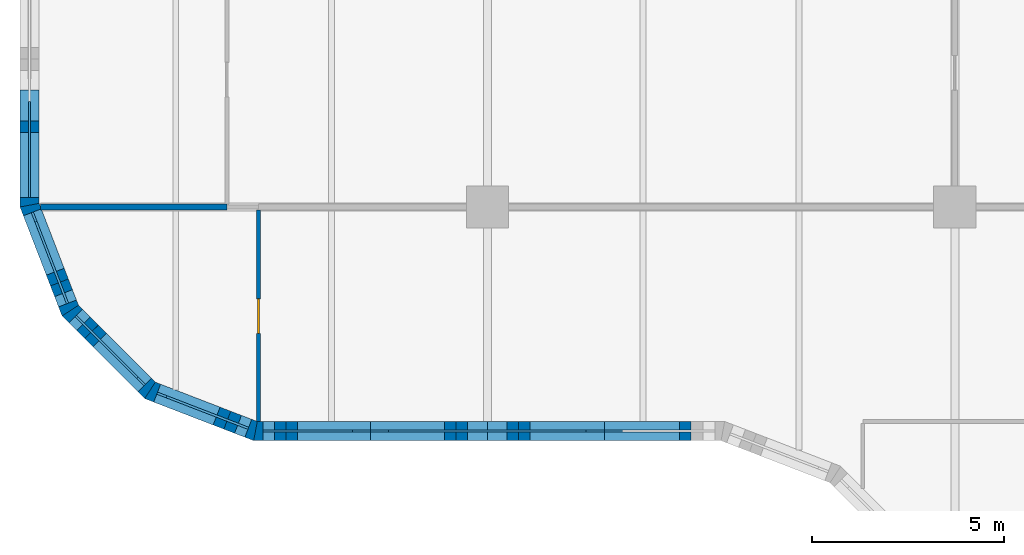
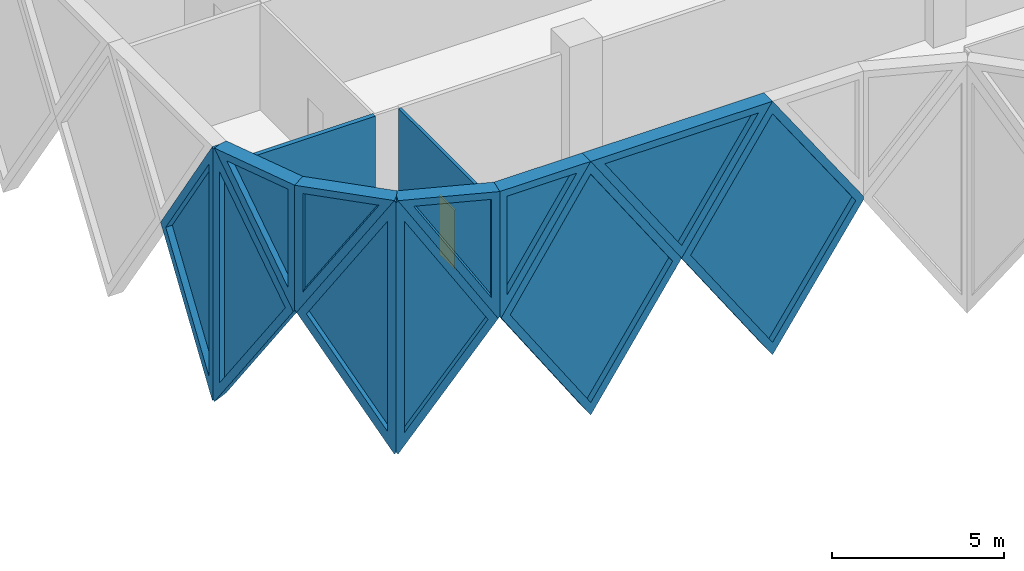
# One storey, part 10 of 30: 13 walls, 11 plates, 1 door, 12 openings.
"""IFC4 building model written with IfcOpenShell, lengths in metres."""

from ifc_helpers import new_model, si_unit, direction, frame, frame_2d, origin, place, context, subcontext, project, spatial, polyline, rectangle, outline, extrude, faceted_brep, source, transform, mapped, material, layer, layer_set, type_object, element, fill, save


model = new_model("IFC4")

# Units and contexts
model_context = context("Model", 3, precision=1e-05, world=origin(), true_north=direction((0.0, 1.0)))
body_context = subcontext(model_context, "Body", "Model", "MODEL_VIEW")
ifc_project = project(units=[si_unit("LENGTHUNIT", "METRE"), si_unit("AREAUNIT", "SQUARE_METRE"), si_unit("VOLUMEUNIT", "CUBIC_METRE"), si_unit("PLANEANGLEUNIT", "RADIAN"), si_unit("MASSUNIT", "GRAM", prefix="KILO")], contexts=[model_context])

# Site, building, storey
site_placement = place(None, origin())
site = spatial("IfcSite", under=ifc_project, at=site_placement, CompositionType="ELEMENT")
building_placement = place(site_placement, origin())
building = spatial("IfcBuilding", under=site, at=building_placement, Name="Tessera Gate Towers", CompositionType="ELEMENT")
storey_placement = place(building_placement, frame((0.0, 0.0, 21.300048828125)))
storey = spatial("IfcBuildingStorey", under=building, at=storey_placement, Name="L04", CompositionType="ELEMENT", Elevation=21.300048828125)

# Wall, opening, door
ifc_material_1 = material(Name="Glass", Category="glass")
ifc_layer_1 = layer(ifc_material_1, 0.10009765625)
ifc_layer_set_1 = layer_set([ifc_layer_1], Name="GLAZED PARTITION 100")
wall_type_1 = type_object("IfcWallType", Name="GLAZED PARTITION 100", PredefinedType="PARTITIONING", material=ifc_layer_set_1)
wall_1_placement = place(storey_placement, frame((6.22509765625, 18.800048828125, 0.0), z_axis=(0.0, 0.0, 1.0), x_axis=(0.0, 1.0, 0.0)))
wall_1 = element("IfcWall", 1, at=wall_1_placement, inside=storey, type_object=wall_type_1, Name="T1-L04-PW-016", PredefinedType="PARTITIONING", context=body_context, shape_type="SweptSolid", body=[
    extrude(rectangle(XDim=5.52392578125, YDim=0.10009765625, at=frame_2d((2.761962890625, 0.0))), origin(), (0.0, 0.0, 1.0), 3.766845703125),
])
shared_shape_1 = source(origin(), body_context, "Body", "SweptSolid", [
    extrude(rectangle(XDim=0.89990234375, YDim=2.10009765625, at=frame_2d((0.449951171875, 1.050048828125))), frame((0.0, 0.06005859375, 0.0), z_axis=(0.0, -1.0, 0.0), x_axis=(1.0, 0.0, 0.0)), (0.0, 0.0, 1.0), 0.1201171875),
])
opening_1_placement = place(wall_1_placement, frame((2.300048828125, 0.0, 0.0)))
opening_1 = element("IfcOpeningElement", 2, at=opening_1_placement, cuts=wall_1, Name="Opening D690-A01-02", PredefinedType="OPENING", context=body_context, shape_type="MappedRepresentation", body=[
    mapped(shared_shape_1, transform((0.0, 0.0, 0.0), scale=1.0)),
])
ifc_material_2 = material(Name="Glass in aluminium frame", Category="aluminium")
door_type = type_object("IfcDoorType", Name="GLAZED DOOR 900 NOT RATED", OperationType="NOTDEFINED", PredefinedType="DOOR", material=ifc_material_2)
shared_shape_2 = source(origin(), body_context, "Body", "SweptSolid", [
    extrude(rectangle(XDim=0.89990234375, YDim=2.10009765625, at=frame_2d((0.449951171875, 1.050048828125))), frame((0.0, 0.02490234375, 0.0), z_axis=(0.0, -1.0, 0.0), x_axis=(1.0, 0.0, 0.0)), (0.0, 0.0, 1.0), 0.050048828125),
])
door_placement = place(opening_1_placement, origin())
door = element("IfcDoor", 3, at=door_placement, inside=storey, type_object=door_type, Name="T1-L04-PD-008", OperationType="SINGLE_SWING_LEFT", OverallHeight=2.10009765625, OverallWidth=0.89990234375, PredefinedType="DOOR", context=body_context, shape_type="MappedRepresentation", body=[
    mapped(shared_shape_2, transform((0.0, 0.0, 0.0), scale=1.0)),
])
fill(opening_1, door)

# Wall
ifc_material_3 = material(Name="Gypsum board on steel studs, mineral wool", Category="steel")
ifc_layer_2 = layer(ifc_material_3, 0.14990234375)
ifc_layer_set_2 = layer_set([ifc_layer_2], Name="TENANCY WALL 150")
wall_type_2 = type_object("IfcWallType", Name="TENANCY WALL 150", PredefinedType="PARTITIONING", material=ifc_layer_set_2)
wall_2_placement = place(storey_placement, frame((0.535888671875, 24.39990234375, 0.0), z_axis=(0.0, 0.0, 1.0), x_axis=(1.0, 0.0, 0.0)))
element("IfcWall", 4, at=wall_2_placement, inside=storey, type_object=wall_type_2, Name="T1-L04-PW-026", PredefinedType="PARTITIONING", context=body_context, shape_type="SweptSolid", body=[
    extrude(rectangle(XDim=4.864013671875, YDim=0.14990234375, at=frame_2d((2.43212890625, 0.0))), origin(), (0.0, 0.0, 1.0), 3.766845703125),
])

# Wall, opening, plate
ifc_material_4 = material(Name="Precast concrete C60/75 white", Category="concrete")
ifc_layer_3 = layer(ifc_material_4, 0.5)
ifc_layer_set_3 = layer_set([ifc_layer_3], Name="TS1 tessera")
wall_type_3 = type_object("IfcWallType", Name="TS1 tessera", PredefinedType="SOLIDWALL", material=ifc_layer_set_3)
shared_shape_3 = source(origin(), body_context, "Body", "Brep", [
    faceted_brep([(3.00341796875, -0.25, 0.0), (6.053466796875, -0.25, 4.5), (3.00341796875, -0.25, 9.0), (0.0, -0.25, 4.5), (0.046630859375, 0.25, 4.56982421875), (3.00341796875, 0.25, 9.0), (6.053466796875, 0.25, 4.5), (3.00341796875, 0.25, 0.0), (0.046630859375, 0.25, 4.43017578125), (0.0, 0.0, 4.5)], [[[0, 1, 2, 3]], [[4, 5, 6, 7, 8]], [[7, 6, 1, 0]], [[6, 5, 2, 1]], [[5, 4, 9, 3, 2]], [[8, 7, 0, 3, 9]], [[8, 9, 4]]]),
])
wall_3_placement = place(storey_placement, frame((6.146484375, 18.550048828125, -4.5), z_axis=(0.0, 0.0, 1.0), x_axis=(1.0, 0.0, 0.0)))
wall_3 = element("IfcWall", 5, at=wall_3_placement, inside=storey, type_object=wall_type_3, Name="Precast tessera T1 TS1-0021", PredefinedType="SOLIDWALL", context=body_context, shape_type="MappedRepresentation", body=[
    mapped(shared_shape_3, transform((0.0, 0.0, 0.0), scale=1.0)),
])
shared_shape_4 = source(origin(), body_context, "Body", "SweptSolid", [
    extrude(outline(polyline([(3.005126953125, 0.447998046875), (5.75146484375, 4.5), (3.005126953125, 8.552001953125), (0.300537109375, 4.5), (3.005126953125, 0.447998046875)])), frame((0.0, 0.260009765625, 0.0), z_axis=(0.0, -1.0, 0.0), x_axis=(1.0, 0.0, 0.0)), (0.0, 0.0, 1.0), 0.52001953125),
])
opening_2_placement = place(wall_3_placement, origin())
opening_2 = element("IfcOpeningElement", 6, at=opening_2_placement, cuts=wall_3, Name="Opening T1-PL2-0037", PredefinedType="OPENING", context=body_context, shape_type="MappedRepresentation", body=[
    mapped(shared_shape_4, transform((0.0, 0.0, 0.0), scale=1.0)),
])
ifc_material_5 = material(Name="Low-e laminated glass", Category="glass")
ifc_layer_4 = layer(ifc_material_5, 0.06005859375)
ifc_layer_set_4 = layer_set([ifc_layer_4], Name="PL2 rhombic pane")
plate_type_1 = type_object("IfcPlateType", Name="PL2 rhombic pane", PredefinedType="SHEET", material=ifc_layer_set_4)
shared_shape_5 = source(origin(), body_context, "Body", "SweptSolid", [
    extrude(outline(polyline([(3.005126953125, 0.447998046875), (5.75146484375, 4.5), (3.005126953125, 8.552001953125), (0.300537109375, 4.5), (3.005126953125, 0.447998046875)])), frame((0.0, 0.030029296875, 0.0), z_axis=(0.0, -1.0, 0.0), x_axis=(1.0, 0.0, 0.0)), (0.0, 0.0, 1.0), 0.06005859375),
])
plate_1_placement = place(opening_2_placement, origin())
plate_1 = element("IfcPlate", 7, at=plate_1_placement, inside=storey, type_object=plate_type_1, Name="Glass pane T1 PL2-0037", PredefinedType="SHEET", context=body_context, shape_type="MappedRepresentation", body=[
    mapped(shared_shape_5, transform((0.0, 0.0, 0.0), scale=1.0)),
])
fill(opening_2, plate_1)

ifc_material_6 = material(Name="Precast concrete C60/75 white", Category="concrete")
ifc_layer_5 = layer(ifc_material_6, 0.5)
ifc_layer_set_5 = layer_set([ifc_layer_5], Name="TS3 corner tessera")
wall_type_4 = type_object("IfcWallType", Name="TS3 corner tessera", PredefinedType="SOLIDWALL", material=ifc_layer_set_5)
shared_shape_6 = source(origin(), body_context, "Body", "Brep", [
    faceted_brep([(0.052978515625, -0.25, 0.0), (3.00341796875, -0.25, 4.5), (0.052978515625, -0.25, 9.0), (0.0, -0.25, 8.919189453125), (0.0, -0.25, 0.080810546875), (0.10595703125, 0.25, 8.919189453125), (2.95703125, 0.25, 4.57080078125), (2.95703125, 0.25, 4.42919921875), (0.10595703125, 0.25, 0.080810546875), (3.00341796875, 0.00048828125, 4.5), (0.052978515625, 0.0, 0.0), (0.052978515625, 0.0, 9.0)], [[[0, 1, 2, 3, 4]], [[5, 6, 7, 8]], [[8, 7, 9, 1, 0, 10]], [[6, 5, 11, 2, 1, 9]], [[3, 2, 11]], [[10, 0, 4]], [[8, 10, 4, 3, 11, 5]], [[9, 7, 6]]]),
])
wall_4_placement = place(storey_placement, frame((3.34423828125, 19.630859375, -4.5), z_axis=(0.0, 0.0, 1.0), x_axis=(0.933007896601, -0.359855894603, 0.0)))
wall_4 = element("IfcWall", 8, at=wall_4_placement, inside=storey, type_object=wall_type_4, Name="Precast corner tessera T1 TS3-0040", PredefinedType="SOLIDWALL", context=body_context, shape_type="MappedRepresentation", body=[
    mapped(shared_shape_6, transform((0.0, 0.0, 0.0), scale=1.0)),
])
shared_shape_7 = source(origin(), body_context, "Body", "SweptSolid", [
    extrude(outline(polyline([(0.2529296875, 0.760986328125), (2.70458984375, 4.5), (0.2529296875, 8.239013671875), (0.2529296875, 0.760986328125)])), frame((0.0, 0.260009765625, 0.0), z_axis=(0.0, -1.0, 0.0), x_axis=(1.0, 0.0, 0.0)), (0.0, 0.0, 1.0), 0.52001953125),
])
opening_3_placement = place(wall_4_placement, origin())
opening_3 = element("IfcOpeningElement", 9, at=opening_3_placement, cuts=wall_4, Name="Opening T1-PL2-0036", PredefinedType="OPENING", context=body_context, shape_type="MappedRepresentation", body=[
    mapped(shared_shape_7, transform((0.0, 0.0, 0.0), scale=1.0)),
])
shared_shape_8 = source(origin(), body_context, "Body", "SweptSolid", [
    extrude(outline(polyline([(0.2529296875, 0.760986328125), (2.70458984375, 4.5), (0.2529296875, 8.239013671875), (0.2529296875, 0.760986328125)])), frame((0.0, 0.030029296875, 0.0), z_axis=(0.0, -1.0, 0.0), x_axis=(1.0, 0.0, 0.0)), (0.0, 0.0, 1.0), 0.06005859375),
])
plate_2_placement = place(opening_3_placement, origin())
plate_2 = element("IfcPlate", 10, at=plate_2_placement, inside=storey, type_object=plate_type_1, Name="Glass pane T1 PL2-0036", PredefinedType="SHEET", context=body_context, shape_type="MappedRepresentation", body=[
    mapped(shared_shape_8, transform((0.0, 0.0, 0.0), scale=1.0)),
])
fill(opening_3, plate_2)

shared_shape_9 = source(origin(), body_context, "Body", "Brep", [
    faceted_brep([(3.00341796875, -0.25, 0.0), (3.050048828125, -0.25, 0.071044921875), (3.050048828125, -0.25, 8.928955078125), (3.00341796875, -0.25, 9.0), (0.0, -0.25, 4.5), (0.0, 0.25, 4.5), (2.956787109375, 0.25, 8.930419921875), (2.956787109375, 0.25, 0.069580078125), (3.00341796875, 0.000244140625, 0.0), (3.00341796875, 0.000244140625, 9.0)], [[[0, 1, 2, 3, 4]], [[5, 6, 7]], [[1, 0, 8]], [[9, 3, 2]], [[6, 5, 4, 3, 9]], [[5, 7, 8, 0, 4]], [[1, 8, 7, 6, 9, 2]]]),
])
wall_5_placement = place(storey_placement, frame((0.25, 27.449951171875, -4.5), z_axis=(0.0, 0.0, 1.0), x_axis=(0.0, -1.0, 0.0)))
wall_5 = element("IfcWall", 11, at=wall_5_placement, inside=storey, type_object=wall_type_4, Name="Precast corner tessera T1 TS3-0037", PredefinedType="SOLIDWALL", context=body_context, shape_type="MappedRepresentation", body=[
    mapped(shared_shape_9, transform((0.0, 0.0, 0.0), scale=1.0)),
])
shared_shape_10 = source(origin(), body_context, "Body", "SweptSolid", [
    extrude(outline(polyline([(2.803466796875, 8.25), (0.300537109375, 4.5), (2.803466796875, 0.75), (2.803466796875, 8.25)])), frame((0.0, 0.260009765625, 0.0), z_axis=(0.0, -1.0, 0.0), x_axis=(1.0, 0.0, 0.0)), (0.0, 0.0, 1.0), 0.52001953125),
])
opening_4_placement = place(wall_5_placement, origin())
opening_4 = element("IfcOpeningElement", 12, at=opening_4_placement, cuts=wall_5, Name="Opening T1-PL2-0033", PredefinedType="OPENING", context=body_context, shape_type="MappedRepresentation", body=[
    mapped(shared_shape_10, transform((0.0, 0.0, 0.0), scale=1.0)),
])
shared_shape_11 = source(origin(), body_context, "Body", "SweptSolid", [
    extrude(outline(polyline([(2.803466796875, 8.25), (0.300537109375, 4.5), (2.803466796875, 0.75), (2.803466796875, 8.25)])), frame((0.0, 0.030029296875, 0.0), z_axis=(0.0, -1.0, 0.0), x_axis=(1.0, 0.0, 0.0)), (0.0, 0.0, 1.0), 0.06005859375),
])
plate_3_placement = place(opening_4_placement, origin())
plate_3 = element("IfcPlate", 13, at=plate_3_placement, inside=storey, type_object=plate_type_1, Name="Glass pane T1 PL2-0033", PredefinedType="SHEET", context=body_context, shape_type="MappedRepresentation", body=[
    mapped(shared_shape_11, transform((0.0, 0.0, 0.0), scale=1.0)),
])
fill(opening_4, plate_3)

shared_shape_12 = source(origin(), body_context, "Body", "Brep", [
    faceted_brep([(0.046630859375, -0.25, 0.0), (2.9970703125, -0.25, 4.5), (0.046630859375, -0.25, 9.0), (0.0, -0.25, 8.93017578125), (0.0, -0.25, 0.06982421875), (0.09326171875, 0.25, 8.928955078125), (2.9443359375, 0.25, 4.58056640625), (2.9443359375, 0.25, 4.41943359375), (0.09326171875, 0.25, 0.071044921875), (2.9970703125, 0.00048828125, 4.5), (0.046630859375, 0.0, 0.0), (0.046630859375, 0.0, 9.0)], [[[0, 1, 2, 3, 4]], [[5, 6, 7, 8]], [[8, 7, 9, 1, 0, 10]], [[6, 5, 11, 2, 1, 9]], [[3, 2, 11]], [[10, 0, 4]], [[8, 10, 4, 3, 11, 5]], [[9, 7, 6]]]),
])
wall_6_placement = place(storey_placement, frame((0.233154296875, 24.489990234375, -4.5), z_axis=(0.0, 0.0, 1.0), x_axis=(0.359901446078, -0.932990326376, 0.0)))
wall_6 = element("IfcWall", 14, at=wall_6_placement, inside=storey, type_object=wall_type_4, Name="Precast corner tessera T1 TS3-0038", PredefinedType="SOLIDWALL", context=body_context, shape_type="MappedRepresentation", body=[
    mapped(shared_shape_12, transform((0.0, 0.0, 0.0), scale=1.0)),
])
shared_shape_13 = source(origin(), body_context, "Body", "SweptSolid", [
    extrude(outline(polyline([(0.24658203125, 0.760986328125), (2.6982421875, 4.5), (0.24658203125, 8.239013671875), (0.24658203125, 0.760986328125)])), frame((0.0, 0.260009765625, 0.0), z_axis=(0.0, -1.0, 0.0), x_axis=(1.0, 0.0, 0.0)), (0.0, 0.0, 1.0), 0.52001953125),
])
opening_5_placement = place(wall_6_placement, origin())
opening_5 = element("IfcOpeningElement", 15, at=opening_5_placement, cuts=wall_6, Name="Opening T1-PL2-0034", PredefinedType="OPENING", context=body_context, shape_type="MappedRepresentation", body=[
    mapped(shared_shape_13, transform((0.0, 0.0, 0.0), scale=1.0)),
])
shared_shape_14 = source(origin(), body_context, "Body", "SweptSolid", [
    extrude(outline(polyline([(0.24658203125, 0.760986328125), (2.6982421875, 4.5), (0.24658203125, 8.239013671875), (0.24658203125, 0.760986328125)])), frame((0.0, 0.030029296875, 0.0), z_axis=(0.0, -1.0, 0.0), x_axis=(1.0, 0.0, 0.0)), (0.0, 0.0, 1.0), 0.06005859375),
])
plate_4_placement = place(opening_5_placement, origin())
plate_4 = element("IfcPlate", 16, at=plate_4_placement, inside=storey, type_object=plate_type_1, Name="Glass pane T1 PL2-0034", PredefinedType="SHEET", context=body_context, shape_type="MappedRepresentation", body=[
    mapped(shared_shape_14, transform((0.0, 0.0, 0.0), scale=1.0)),
])
fill(opening_5, plate_4)

shared_shape_15 = source(origin(), body_context, "Body", "Brep", [
    faceted_brep([(2.944091796875, -0.25, 0.0), (2.9970703125, -0.25, 0.080810546875), (2.9970703125, -0.25, 8.919189453125), (2.944091796875, -0.25, 9.0), (0.0, -0.25, 4.5), (0.052978515625, 0.25, 4.580810546875), (2.89111328125, 0.25, 8.919189453125), (2.89111328125, 0.25, 0.080810546875), (0.052978515625, 0.25, 4.419189453125), (2.944091796875, 0.000244140625, 0.0), (2.944091796875, 0.000244140625, 9.0), (0.0, 0.0, 4.5)], [[[0, 1, 2, 3, 4]], [[5, 6, 7, 8]], [[1, 0, 9]], [[10, 3, 2]], [[6, 5, 11, 4, 3, 10]], [[8, 7, 9, 0, 4, 11]], [[8, 11, 5]], [[1, 9, 7, 6, 10, 2]]]),
])
wall_7_placement = place(storey_placement, frame((1.31201171875, 21.69384765625, -4.5), z_axis=(0.0, 0.0, 1.0), x_axis=(0.707066050402, -0.707147509625, 0.0)))
wall_7 = element("IfcWall", 17, at=wall_7_placement, inside=storey, type_object=wall_type_4, Name="Precast corner tessera T1 TS3-0039", PredefinedType="SOLIDWALL", context=body_context, shape_type="MappedRepresentation", body=[
    mapped(shared_shape_15, transform((0.0, 0.0, 0.0), scale=1.0)),
])
shared_shape_16 = source(origin(), body_context, "Body", "SweptSolid", [
    extrude(outline(polyline([(2.744140625, 8.237548828125), (0.298828125, 4.5), (2.744140625, 0.76220703125), (2.744140625, 8.237548828125)])), frame((0.0, 0.260009765625, 0.0), z_axis=(0.0, -1.0, 0.0), x_axis=(1.0, 0.0, 0.0)), (0.0, 0.0, 1.0), 0.52001953125),
])
opening_6_placement = place(wall_7_placement, origin())
opening_6 = element("IfcOpeningElement", 18, at=opening_6_placement, cuts=wall_7, Name="Opening T1-PL2-0035", PredefinedType="OPENING", context=body_context, shape_type="MappedRepresentation", body=[
    mapped(shared_shape_16, transform((0.0, 0.0, 0.0), scale=1.0)),
])
shared_shape_17 = source(origin(), body_context, "Body", "SweptSolid", [
    extrude(outline(polyline([(2.744140625, 8.237548828125), (0.298828125, 4.5), (2.744140625, 0.76220703125), (2.744140625, 8.237548828125)])), frame((0.0, 0.030029296875, 0.0), z_axis=(0.0, -1.0, 0.0), x_axis=(1.0, 0.0, 0.0)), (0.0, 0.0, 1.0), 0.06005859375),
])
plate_5_placement = place(opening_6_placement, origin())
plate_5 = element("IfcPlate", 19, at=plate_5_placement, inside=storey, type_object=plate_type_1, Name="Glass pane T1 PL2-0035", PredefinedType="SHEET", context=body_context, shape_type="MappedRepresentation", body=[
    mapped(shared_shape_17, transform((0.0, 0.0, 0.0), scale=1.0)),
])
fill(opening_6, plate_5)

shared_shape_18 = source(origin(), body_context, "Body", "Brep", [
    faceted_brep([(3.050048828125, -0.25, 0.0), (6.10009765625, -0.25, 4.432373046875), (6.10009765625, -0.25, 4.567626953125), (3.050048828125, -0.25, 9.0), (0.0, -0.25, 4.5), (0.0, 0.25, 4.5), (3.050048828125, 0.25, 9.0), (6.146484375, 0.25, 4.5), (3.050048828125, 0.25, 0.0), (6.146484375, -0.000244140625, 4.5)], [[[0, 1, 2, 3, 4]], [[5, 6, 7, 8]], [[8, 7, 9, 1, 0]], [[7, 6, 3, 2, 9]], [[6, 5, 4, 3]], [[5, 8, 0, 4]], [[1, 9, 2]]]),
])
wall_8_placement = place(storey_placement, frame((12.199951171875, 18.550048828125, -4.5), z_axis=(0.0, 0.0, 1.0), x_axis=(1.0, 0.0, 0.0)))
wall_8 = element("IfcWall", 20, at=wall_8_placement, inside=storey, type_object=wall_type_3, Name="Precast tessera T1 TS1-0022", PredefinedType="SOLIDWALL", context=body_context, shape_type="MappedRepresentation", body=[
    mapped(shared_shape_18, transform((0.0, 0.0, 0.0), scale=1.0)),
])
shared_shape_19 = source(origin(), body_context, "Body", "SweptSolid", [
    extrude(outline(polyline([(3.051513671875, 0.443115234375), (5.843017578125, 4.5), (3.051513671875, 8.556640625), (0.302001953125, 4.5), (3.051513671875, 0.443115234375)])), frame((0.0, 0.260009765625, 0.0), z_axis=(0.0, -1.0, 0.0), x_axis=(1.0, 0.0, 0.0)), (0.0, 0.0, 1.0), 0.52001953125),
])
opening_7_placement = place(wall_8_placement, origin())
opening_7 = element("IfcOpeningElement", 21, at=opening_7_placement, cuts=wall_8, Name="Opening T1-PL2-0038", PredefinedType="OPENING", context=body_context, shape_type="MappedRepresentation", body=[
    mapped(shared_shape_19, transform((0.0, 0.0, 0.0), scale=1.0)),
])
shared_shape_20 = source(origin(), body_context, "Body", "SweptSolid", [
    extrude(outline(polyline([(3.051513671875, 0.443115234375), (5.843017578125, 4.5), (3.051513671875, 8.556640625), (0.302001953125, 4.5), (3.051513671875, 0.443115234375)])), frame((0.0, 0.030029296875, 0.0), z_axis=(0.0, -1.0, 0.0), x_axis=(1.0, 0.0, 0.0)), (0.0, 0.0, 1.0), 0.06005859375),
])
plate_6_placement = place(opening_7_placement, origin())
plate_6 = element("IfcPlate", 22, at=plate_6_placement, inside=storey, type_object=plate_type_1, Name="Glass pane T1 PL2-0038", PredefinedType="SHEET", context=body_context, shape_type="MappedRepresentation", body=[
    mapped(shared_shape_20, transform((0.0, 0.0, 0.0), scale=1.0)),
])
fill(opening_7, plate_6)

shared_shape_21 = source(origin(), body_context, "Body", "Brep", [
    faceted_brep([(0.046630859375, -0.25, 0.0), (3.050048828125, -0.25, 4.5), (0.0, -0.25, 4.5), (0.0, -0.25, 0.071044921875), (0.09326171875, 0.25, 4.5), (3.050048828125, 0.25, 4.5), (0.09326171875, 0.25, 0.06982421875), (0.046630859375, 0.0, 0.0)], [[[0, 1, 2, 3]], [[4, 5, 6]], [[6, 5, 1, 0, 7]], [[5, 4, 2, 1]], [[7, 0, 3]], [[6, 7, 3, 2, 4]]]),
])
wall_9_placement = place(storey_placement, frame((6.099853515625, 18.550048828125, 0.0), z_axis=(0.0, 0.0, 1.0), x_axis=(1.0, 0.0, 0.0)))
wall_9 = element("IfcWall", 23, at=wall_9_placement, inside=storey, type_object=wall_type_4, Name="Precast corner tessera T1 TS3-0066", PredefinedType="SOLIDWALL", context=body_context, shape_type="MappedRepresentation", body=[
    mapped(shared_shape_21, transform((0.0, 0.0, 0.0), scale=1.0)),
])
shared_shape_22 = source(origin(), body_context, "Body", "SweptSolid", [
    extrude(outline(polyline([(0.24658203125, 0.75), (2.582763671875, 4.25), (0.24658203125, 4.25), (0.24658203125, 0.75)])), frame((0.0, 0.260009765625, 0.0), z_axis=(0.0, -1.0, 0.0), x_axis=(1.0, 0.0, 0.0)), (0.0, 0.0, 1.0), 0.52001953125),
])
opening_8_placement = place(wall_9_placement, origin())
opening_8 = element("IfcOpeningElement", 24, at=opening_8_placement, cuts=wall_9, Name="Opening T1-PL1-0085", PredefinedType="OPENING", context=body_context, shape_type="MappedRepresentation", body=[
    mapped(shared_shape_22, transform((0.0, 0.0, 0.0), scale=1.0)),
])
ifc_material_7 = material(Name="Low-e laminated glass", Category="glass")
ifc_layer_6 = layer(ifc_material_7, 0.06005859375)
ifc_layer_set_6 = layer_set([ifc_layer_6], Name="PL1 triangular pane")
plate_type_2 = type_object("IfcPlateType", Name="PL1 triangular pane", PredefinedType="SHEET", material=ifc_layer_set_6)
shared_shape_23 = source(origin(), body_context, "Body", "SweptSolid", [
    extrude(outline(polyline([(0.24658203125, 0.75), (2.582763671875, 4.25), (0.24658203125, 4.25), (0.24658203125, 0.75)])), frame((0.0, 0.030029296875, 0.0), z_axis=(0.0, -1.0, 0.0), x_axis=(1.0, 0.0, 0.0)), (0.0, 0.0, 1.0), 0.06005859375),
])
plate_7_placement = place(opening_8_placement, origin())
plate_7 = element("IfcPlate", 25, at=plate_7_placement, inside=storey, type_object=plate_type_2, Name="Glass pane T1 PL1-0085", PredefinedType="SHEET", context=body_context, shape_type="MappedRepresentation", body=[
    mapped(shared_shape_23, transform((0.0, 0.0, 0.0), scale=1.0)),
])
fill(opening_8, plate_7)

ifc_material_8 = material(Name="Precast concrete C60/75 white", Category="concrete")
ifc_layer_7 = layer(ifc_material_8, 0.5)
ifc_layer_set_7 = layer_set([ifc_layer_7], Name="TS2 half tessera")
wall_type_5 = type_object("IfcWallType", Name="TS2 half tessera", PredefinedType="SOLIDWALL", material=ifc_layer_set_7)
shared_shape_24 = source(origin(), body_context, "Body", "SweptSolid", [
    extrude(outline(polyline([(3.050048828125, 0.0), (6.10009765625, 4.5), (0.0, 4.5), (3.050048828125, 0.0)])), frame((0.0, 0.25, 0.0), z_axis=(0.0, -1.0, 0.0), x_axis=(1.0, 0.0, 0.0)), (0.0, 0.0, 1.0), 0.5),
])
wall_10_placement = place(storey_placement, frame((9.14990234375, 18.550048828125, 0.0), z_axis=(0.0, 0.0, 1.0), x_axis=(1.0, 0.0, 0.0)))
wall_10 = element("IfcWall", 26, at=wall_10_placement, inside=storey, type_object=wall_type_5, Name="Precast half tessera T1 TS2-0044", PredefinedType="SOLIDWALL", context=body_context, shape_type="MappedRepresentation", body=[
    mapped(shared_shape_24, transform((0.0, 0.0, 0.0), scale=1.0)),
])
shared_shape_25 = source(origin(), body_context, "Body", "SweptSolid", [
    extrude(outline(polyline([(3.050048828125, 0.445556640625), (5.628662109375, 4.25), (0.471435546875, 4.25), (3.050048828125, 0.445556640625)])), frame((0.0, 0.260009765625, 0.0), z_axis=(0.0, -1.0, 0.0), x_axis=(1.0, 0.0, 0.0)), (0.0, 0.0, 1.0), 0.52001953125),
])
opening_9_placement = place(wall_10_placement, origin())
opening_9 = element("IfcOpeningElement", 27, at=opening_9_placement, cuts=wall_10, Name="Opening T1-PL1-0086", PredefinedType="OPENING", context=body_context, shape_type="MappedRepresentation", body=[
    mapped(shared_shape_25, transform((0.0, 0.0, 0.0), scale=1.0)),
])
shared_shape_26 = source(origin(), body_context, "Body", "SweptSolid", [
    extrude(outline(polyline([(3.050048828125, 0.445556640625), (5.628662109375, 4.25), (0.471435546875, 4.25), (3.050048828125, 0.445556640625)])), frame((0.0, 0.030029296875, 0.0), z_axis=(0.0, -1.0, 0.0), x_axis=(1.0, 0.0, 0.0)), (0.0, 0.0, 1.0), 0.06005859375),
])
plate_8_placement = place(opening_9_placement, origin())
plate_8 = element("IfcPlate", 28, at=plate_8_placement, inside=storey, type_object=plate_type_2, Name="Glass pane T1 PL1-0086", PredefinedType="SHEET", context=body_context, shape_type="MappedRepresentation", body=[
    mapped(shared_shape_26, transform((0.0, 0.0, 0.0), scale=1.0)),
])
fill(opening_9, plate_8)

shared_shape_27 = source(origin(), body_context, "Body", "Brep", [
    faceted_brep([(2.950439453125, -0.25, 0.0), (3.00341796875, -0.25, 0.0810546875), (3.00341796875, -0.25, 4.5), (0.0, -0.25, 4.5), (0.046630859375, 0.25, 4.5), (2.897705078125, 0.25, 4.5), (2.897705078125, 0.25, 0.08056640625), (0.046630859375, 0.25, 4.428955078125), (2.950439453125, 0.00048828125, 0.0), (0.0, 0.0, 4.5)], [[[0, 1, 2, 3]], [[4, 5, 6, 7]], [[1, 0, 8]], [[5, 4, 9, 3, 2]], [[7, 6, 8, 0, 3, 9]], [[7, 9, 4]], [[1, 8, 6, 5, 2]]]),
])
wall_11_placement = place(storey_placement, frame((0.25, 24.446533203125, 0.0), z_axis=(0.0, 0.0, 1.0), x_axis=(0.35992665181, -0.932980602862, 0.0)))
wall_11 = element("IfcWall", 29, at=wall_11_placement, inside=storey, type_object=wall_type_4, Name="Precast corner tessera T1 TS3-0063", PredefinedType="SOLIDWALL", context=body_context, shape_type="MappedRepresentation", body=[
    mapped(shared_shape_27, transform((0.0, 0.0, 0.0), scale=1.0)),
])
shared_shape_28 = source(origin(), body_context, "Body", "SweptSolid", [
    extrude(outline(polyline([(2.75048828125, 4.25), (0.462890625, 4.25), (2.75048828125, 0.760986328125), (2.75048828125, 4.25)])), frame((0.0, 0.260009765625, 0.0), z_axis=(0.0, -1.0, 0.0), x_axis=(1.0, 0.0, 0.0)), (0.0, 0.0, 1.0), 0.52001953125),
])
opening_10_placement = place(wall_11_placement, origin())
opening_10 = element("IfcOpeningElement", 30, at=opening_10_placement, cuts=wall_11, Name="Opening T1-PL1-0082", PredefinedType="OPENING", context=body_context, shape_type="MappedRepresentation", body=[
    mapped(shared_shape_28, transform((0.0, 0.0, 0.0), scale=1.0)),
])
shared_shape_29 = source(origin(), body_context, "Body", "SweptSolid", [
    extrude(outline(polyline([(2.75048828125, 4.25), (0.462890625, 4.25), (2.75048828125, 0.760986328125), (2.75048828125, 4.25)])), frame((0.0, 0.030029296875, 0.0), z_axis=(0.0, -1.0, 0.0), x_axis=(1.0, 0.0, 0.0)), (0.0, 0.0, 1.0), 0.06005859375),
])
plate_9_placement = place(opening_10_placement, origin())
plate_9 = element("IfcPlate", 31, at=plate_9_placement, inside=storey, type_object=plate_type_2, Name="Glass pane T1 PL1-0082", PredefinedType="SHEET", context=body_context, shape_type="MappedRepresentation", body=[
    mapped(shared_shape_29, transform((0.0, 0.0, 0.0), scale=1.0)),
])
fill(opening_10, plate_9)

shared_shape_30 = source(origin(), body_context, "Body", "Brep", [
    faceted_brep([(2.950439453125, -0.25, 0.0), (2.9970703125, -0.25, 0.06982421875), (2.9970703125, -0.25, 4.5), (0.0, -0.25, 4.5), (0.052978515625, 0.25, 4.5), (2.904052734375, 0.25, 4.5), (2.904052734375, 0.25, 0.07080078125), (0.052978515625, 0.25, 4.419189453125), (2.950439453125, 0.00048828125, 0.0), (0.0, 0.0, 4.5)], [[[0, 1, 2, 3]], [[4, 5, 6, 7]], [[1, 0, 8]], [[5, 4, 9, 3, 2]], [[7, 6, 8, 0, 3, 9]], [[7, 9, 4]], [[1, 8, 6, 5, 2]]]),
])
wall_12_placement = place(storey_placement, frame((3.393798828125, 19.61181640625, 0.0), z_axis=(0.0, 0.0, 1.0), x_axis=(0.932990326376, -0.359901446078, 0.0)))
wall_12 = element("IfcWall", 32, at=wall_12_placement, inside=storey, type_object=wall_type_4, Name="Precast corner tessera T1 TS3-0065", PredefinedType="SOLIDWALL", context=body_context, shape_type="MappedRepresentation", body=[
    mapped(shared_shape_30, transform((0.0, 0.0, 0.0), scale=1.0)),
])
opening_11_placement = place(wall_12_placement, origin())
opening_11 = element("IfcOpeningElement", 33, at=opening_11_placement, cuts=wall_12, Name="Opening T1-PL1-0084", PredefinedType="OPENING", context=body_context, shape_type="MappedRepresentation", body=[
    mapped(shared_shape_28, transform((0.0, 0.0, 0.0), scale=1.0)),
])
plate_10_placement = place(opening_11_placement, origin())
plate_10 = element("IfcPlate", 34, at=plate_10_placement, inside=storey, type_object=plate_type_2, Name="Glass pane T1 PL1-0084", PredefinedType="SHEET", context=body_context, shape_type="MappedRepresentation", body=[
    mapped(shared_shape_29, transform((0.0, 0.0, 0.0), scale=1.0)),
])
fill(opening_11, plate_10)

shared_shape_31 = source(origin(), body_context, "Body", "Brep", [
    faceted_brep([(0.052978515625, -0.25, 0.0), (2.9970703125, -0.25, 4.5), (0.0, -0.25, 4.5), (0.0, -0.25, 0.080810546875), (0.10595703125, 0.25, 4.5), (2.944091796875, 0.25, 4.5), (2.944091796875, 0.25, 4.419189453125), (0.10595703125, 0.25, 0.080810546875), (2.9970703125, 0.000244140625, 4.5), (0.052978515625, 0.0, 0.0)], [[[0, 1, 2, 3]], [[4, 5, 6, 7]], [[7, 6, 8, 1, 0, 9]], [[5, 4, 2, 1, 8]], [[9, 0, 3]], [[7, 9, 3, 2, 4]], [[6, 5, 8]]]),
])
wall_13_placement = place(storey_placement, frame((1.2744140625, 21.731201171875, 0.0), z_axis=(0.0, 0.0, 1.0), x_axis=(0.707147509625, -0.707066050402, 0.0)))
wall_13 = element("IfcWall", 35, at=wall_13_placement, inside=storey, type_object=wall_type_4, Name="Precast corner tessera T1 TS3-0064", PredefinedType="SOLIDWALL", context=body_context, shape_type="MappedRepresentation", body=[
    mapped(shared_shape_31, transform((0.0, 0.0, 0.0), scale=1.0)),
])
shared_shape_32 = source(origin(), body_context, "Body", "SweptSolid", [
    extrude(outline(polyline([(0.2529296875, 0.76220703125), (2.534912109375, 4.25), (0.2529296875, 4.25), (0.2529296875, 0.76220703125)])), frame((0.0, 0.260009765625, 0.0), z_axis=(0.0, -1.0, 0.0), x_axis=(1.0, 0.0, 0.0)), (0.0, 0.0, 1.0), 0.52001953125),
])
opening_12_placement = place(wall_13_placement, origin())
opening_12 = element("IfcOpeningElement", 36, at=opening_12_placement, cuts=wall_13, Name="Opening T1-PL1-0083", PredefinedType="OPENING", context=body_context, shape_type="MappedRepresentation", body=[
    mapped(shared_shape_32, transform((0.0, 0.0, 0.0), scale=1.0)),
])
shared_shape_33 = source(origin(), body_context, "Body", "SweptSolid", [
    extrude(outline(polyline([(0.2529296875, 0.76220703125), (2.534912109375, 4.25), (0.2529296875, 4.25), (0.2529296875, 0.76220703125)])), frame((0.0, 0.030029296875, 0.0), z_axis=(0.0, -1.0, 0.0), x_axis=(1.0, 0.0, 0.0)), (0.0, 0.0, 1.0), 0.06005859375),
])
plate_11_placement = place(opening_12_placement, origin())
plate_11 = element("IfcPlate", 37, at=plate_11_placement, inside=storey, type_object=plate_type_2, Name="Glass pane T1 PL1-0083", PredefinedType="SHEET", context=body_context, shape_type="MappedRepresentation", body=[
    mapped(shared_shape_33, transform((0.0, 0.0, 0.0), scale=1.0)),
])
fill(opening_12, plate_11)

save(model, "model.ifc")
